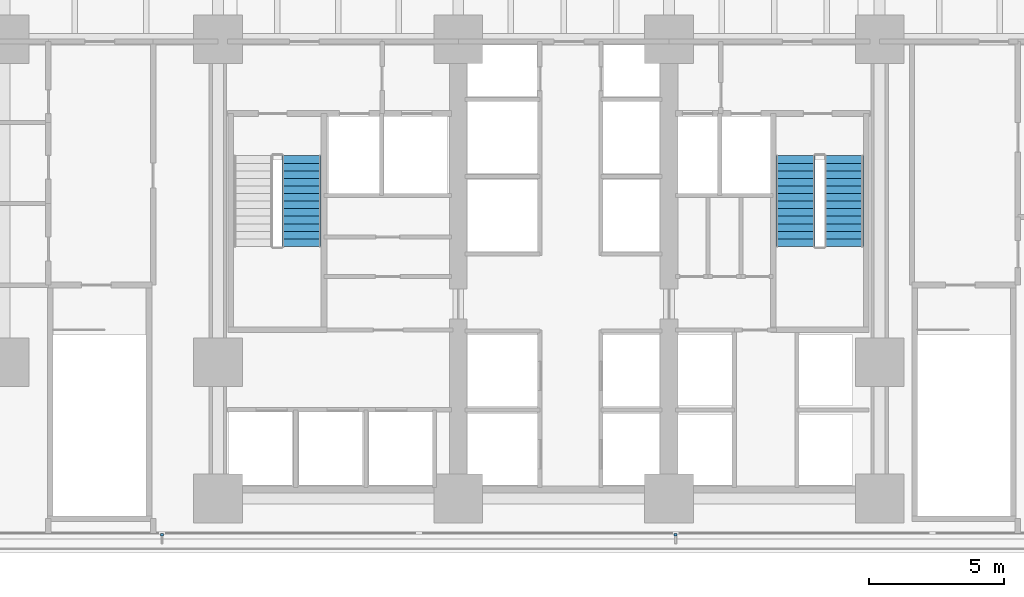
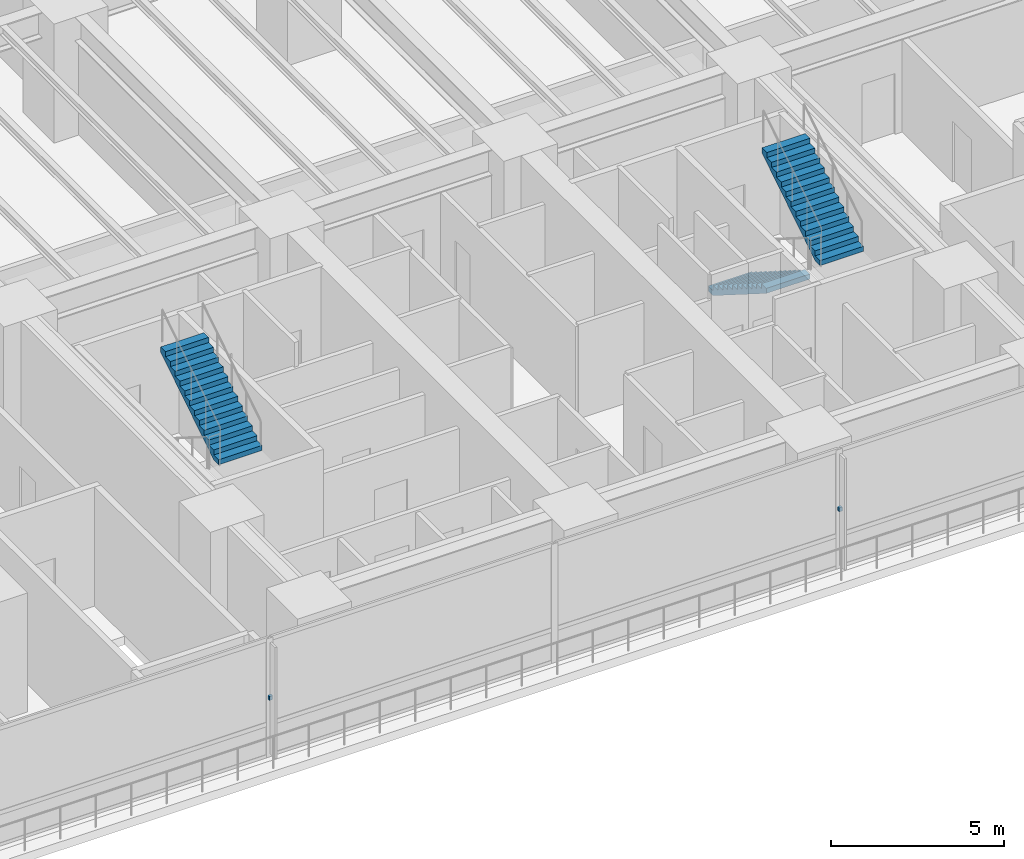
# One storey, part 10 of 21: 3 stair flights, 2 discrete accessories, 2 elements without a shape of their own.
"""IFC4 building model written with IfcOpenShell, lengths in metres."""

from ifc_helpers import new_model, si_unit, direction, frame, origin, place, context, subcontext, project, spatial, polyline, outline, extrude, material, layer, layer_set, type_object, element, aggregate, save


model = new_model("IFC4")

# Units and contexts
model_context = context("Model", 3, precision=1e-05, world=origin(), true_north=direction((0.0, 1.0)))
body_context = subcontext(model_context, "Body", "Model", "MODEL_VIEW")
ifc_project = project(units=[si_unit("LENGTHUNIT", "METRE"), si_unit("AREAUNIT", "SQUARE_METRE"), si_unit("VOLUMEUNIT", "CUBIC_METRE"), si_unit("PLANEANGLEUNIT", "RADIAN"), si_unit("MASSUNIT", "GRAM", prefix="KILO")], contexts=[model_context])

# Site, building, storey
site_placement = place(None, origin())
site = spatial("IfcSite", under=ifc_project, at=site_placement, CompositionType="ELEMENT")
building_placement = place(site_placement, origin())
building = spatial("IfcBuilding", under=site, at=building_placement, Name="Qalmaran Belvedere Hotel", CompositionType="ELEMENT")
storey_placement = place(building_placement, frame((0.0, 0.0, 23.800048828125)))
storey = spatial("IfcBuildingStorey", under=building, at=storey_placement, Name="L05", CompositionType="ELEMENT", Elevation=23.800048828125)

# Stair, stair flight
ifc_material_1 = material(Name="Concrete C40/50", Category="concrete")
stair_type_1 = type_object("IfcStairType", Name="STR-ST-1-1450-R1769", PredefinedType="HALF_TURN_STAIR", material=ifc_material_1)
stair_1_placement = place(storey_placement, origin())
stair_1 = element("IfcStair", 1, at=stair_1_placement, inside=storey, type_object=stair_type_1, Name="L05 West Core Exit Stair ST-1", PredefinedType="HALF_TURN_STAIR")
ifc_layer_1 = layer(ifc_material_1, 0.14990234375, Name="Concrete C40/50")
ifc_layer_set_1 = layer_set([ifc_layer_1], Name="Concrete C40/50")
stair_flight_type_1 = type_object("IfcStairFlightType", Name="STF-ST-1-1450-R1769", PredefinedType="STRAIGHT", material=ifc_layer_set_1)
stair_flight_1_placement = place(storey_placement, frame((23.39501953125, 12.830078125, 2.300048828125), z_axis=(0.0, 0.0, 1.0), x_axis=(0.0, 1.0, 0.0)))
stair_flight_1 = element("IfcStairFlight", 2, at=stair_flight_1_placement, type_object=stair_flight_type_1, Name="ST-1 flight 2", NumberOfRisers=13, NumberOfTreads=12, PredefinedType="STRAIGHT", RiserHeight=0.176923077, TreadLength=0.28, context=body_context, shape_type="SweptSolid", body=[
    extrude(outline(polyline([(0.0, 0.0), (0.0, 0.177001953125), (0.280029296875, 0.177001953125), (0.280029296875, 0.353759765625), (0.56005859375, 0.353759765625), (0.56005859375, 0.53076171875), (0.840087890625, 0.53076171875), (0.840087890625, 0.707763671875), (1.1201171875, 0.707763671875), (1.1201171875, 0.884521484375), (1.39990234375, 0.884521484375), (1.39990234375, 1.0615234375), (1.679931640625, 1.0615234375), (1.679931640625, 1.238525390625), (1.9599609375, 1.238525390625), (1.9599609375, 1.415283203125), (2.239990234375, 1.415283203125), (2.239990234375, 1.59228515625), (2.52001953125, 1.59228515625), (2.52001953125, 1.769287109375), (2.800048828125, 1.769287109375), (2.800048828125, 1.946044921875), (3.080078125, 1.946044921875), (3.080078125, 2.123046875), (3.360107421875, 2.123046875), (3.360107421875, 2.300048828125), (3.360107421875, 1.94580078125), (0.280517578125, 0.0), (0.0, 0.0)])), frame((0.0, 0.72509765625, 0.0), z_axis=(0.0, -1.0, 0.0), x_axis=(1.0, 0.0, 0.0)), (0.0, 0.0, 1.0), 1.449951171875),
])
aggregate(stair_1, [stair_flight_1])

# Stair, stair flights
stair_type_2 = type_object("IfcStairType", Name="STR-ST-2-1450-R1769", PredefinedType="HALF_TURN_STAIR", material=ifc_material_1)
stair_2_placement = place(storey_placement, origin())
stair_2 = element("IfcStair", 3, at=stair_2_placement, inside=storey, type_object=stair_type_2, Name="L05 East Core Exit Stair ST-2", PredefinedType="HALF_TURN_STAIR")
ifc_layer_2 = layer(ifc_material_1, 0.14990234375, Name="Concrete C40/50")
ifc_layer_set_2 = layer_set([ifc_layer_2], Name="Concrete C40/50")
stair_flight_type_2 = type_object("IfcStairFlightType", Name="STF-ST-2-1450-R1769", PredefinedType="STRAIGHT", material=ifc_layer_set_2)
stair_flight_2_placement = place(storey_placement, frame((41.68505859375, 16.18994140625, 0.0), z_axis=(0.0, 0.0, 1.0), x_axis=(0.0, -1.0, 0.0)))
stair_flight_2 = element("IfcStairFlight", 4, at=stair_flight_2_placement, type_object=stair_flight_type_2, Name="ST-2 flight 1", NumberOfRisers=13, NumberOfTreads=12, PredefinedType="STRAIGHT", RiserHeight=0.176923077, TreadLength=0.28, context=body_context, shape_type="SweptSolid", body=[
    extrude(outline(polyline([(0.0, 0.0), (0.0, 0.177001953125), (0.280029296875, 0.177001953125), (0.280029296875, 0.353759765625), (0.56005859375, 0.353759765625), (0.56005859375, 0.53076171875), (0.840087890625, 0.53076171875), (0.840087890625, 0.707763671875), (1.1201171875, 0.707763671875), (1.1201171875, 0.884521484375), (1.39990234375, 0.884521484375), (1.39990234375, 1.0615234375), (1.679931640625, 1.0615234375), (1.679931640625, 1.238525390625), (1.9599609375, 1.238525390625), (1.9599609375, 1.415283203125), (2.239990234375, 1.415283203125), (2.239990234375, 1.59228515625), (2.52001953125, 1.59228515625), (2.52001953125, 1.769287109375), (2.800048828125, 1.769287109375), (2.800048828125, 1.946044921875), (3.080078125, 1.946044921875), (3.080078125, 2.123046875), (3.360107421875, 2.123046875), (3.360107421875, 2.300048828125), (3.360107421875, 1.94580078125), (0.280517578125, 0.0), (0.0, 0.0)])), frame((0.0, 0.72509765625, 0.0), z_axis=(0.0, -1.0, 0.0), x_axis=(1.0, 0.0, 0.0)), (0.0, 0.0, 1.0), 1.449951171875),
])
stair_flight_3_placement = place(storey_placement, frame((43.47509765625, 12.830078125, 2.300048828125), z_axis=(0.0, 0.0, 1.0), x_axis=(0.0, 1.0, 0.0)))
stair_flight_3 = element("IfcStairFlight", 5, at=stair_flight_3_placement, type_object=stair_flight_type_2, Name="ST-2 flight 2", NumberOfRisers=13, NumberOfTreads=12, PredefinedType="STRAIGHT", RiserHeight=0.176923077, TreadLength=0.28, context=body_context, shape_type="SweptSolid", body=[
    extrude(outline(polyline([(0.0, 0.0), (0.0, 0.177001953125), (0.280029296875, 0.177001953125), (0.280029296875, 0.353759765625), (0.56005859375, 0.353759765625), (0.56005859375, 0.53076171875), (0.840087890625, 0.53076171875), (0.840087890625, 0.707763671875), (1.1201171875, 0.707763671875), (1.1201171875, 0.884521484375), (1.39990234375, 0.884521484375), (1.39990234375, 1.0615234375), (1.679931640625, 1.0615234375), (1.679931640625, 1.238525390625), (1.9599609375, 1.238525390625), (1.9599609375, 1.415283203125), (2.239990234375, 1.415283203125), (2.239990234375, 1.59228515625), (2.52001953125, 1.59228515625), (2.52001953125, 1.769287109375), (2.800048828125, 1.769287109375), (2.800048828125, 1.946044921875), (3.080078125, 1.946044921875), (3.080078125, 2.123046875), (3.360107421875, 2.123046875), (3.360107421875, 2.300048828125), (3.360107421875, 1.94580078125), (0.280517578125, 0.0), (0.0, 0.0)])), frame((0.0, 0.72509765625, 0.0), z_axis=(0.0, -1.0, 0.0), x_axis=(1.0, 0.0, 0.0)), (0.0, 0.0, 1.0), 1.449951171875),
])
aggregate(stair_2, [stair_flight_2, stair_flight_3])

# Discrete accessories
ifc_material_2 = material(Name="Stainless Steel 1.4401", Category="steel")
discrete_accessory_type = type_object("IfcDiscreteAccessoryType", Name="BRK-FIN-SS316", PredefinedType="BRACKET", material=ifc_material_2)
discrete_accessory_1_placement = place(storey_placement, frame((0.0, 0.0, 2.050048828125)))
element("IfcDiscreteAccessory", 6, at=discrete_accessory_1_placement, inside=storey, type_object=discrete_accessory_type, Name="L05 Fin Bracket 1", PredefinedType="BRACKET", context=body_context, shape_type="SweptSolid", body=[
    extrude(outline(polyline([(18.175048828125, 2.205078125), (18.175048828125, 2.107421875), (18.284912109375, 2.107421875), (18.284912109375, 2.205078125), (18.175048828125, 2.205078125)])), origin(), (0.0, 0.0, 1.0), 0.139892578125),
])
discrete_accessory_2_placement = place(storey_placement, frame((0.0, 0.0, 2.050048828125)))
element("IfcDiscreteAccessory", 7, at=discrete_accessory_2_placement, inside=storey, type_object=discrete_accessory_type, Name="L05 Fin Bracket 3", PredefinedType="BRACKET", context=body_context, shape_type="SweptSolid", body=[
    extrude(outline(polyline([(37.195068359375, 2.205078125), (37.195068359375, 2.107421875), (37.304931640625, 2.107421875), (37.304931640625, 2.205078125), (37.195068359375, 2.205078125)])), origin(), (0.0, 0.0, 1.0), 0.139892578125),
])

save(model, "model.ifc")
